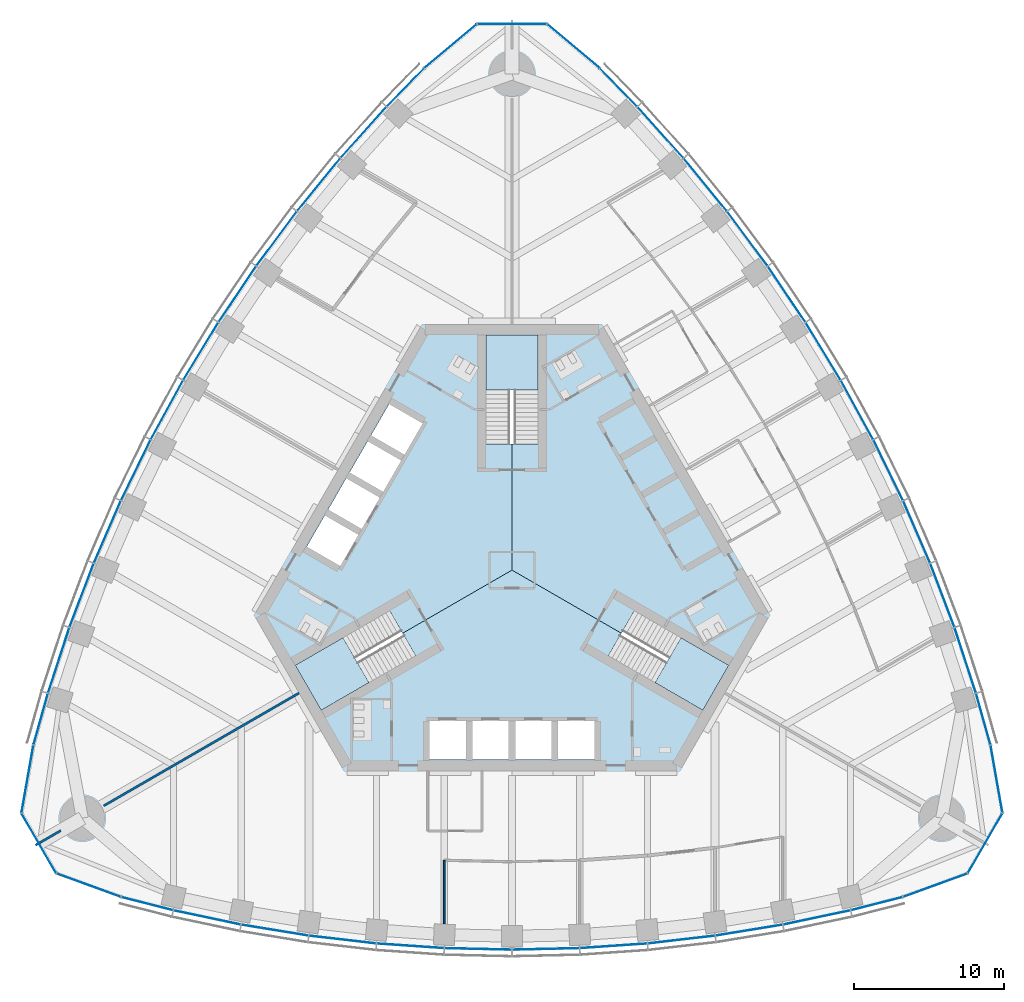
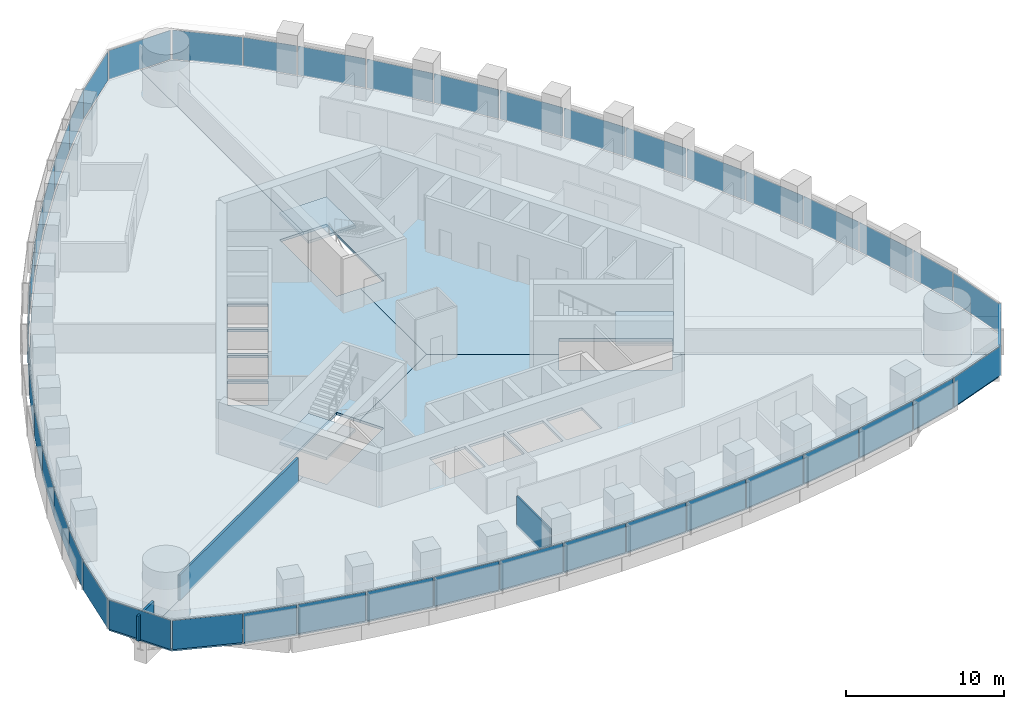
# One storey, part 10 of 19: 45 plates, 6 slabs, 3 walls, 9 elements without a shape of their own.
"""IFC4 building model written with IfcOpenShell, lengths in metres."""

from ifc_helpers import new_model, si_unit, direction, frame, frame_2d, origin, origin_2d, place, context, subcontext, project, spatial, polyline, rectangle, outline, extrude, material, layer, layer_set, type_object, element, aggregate, save


model = new_model("IFC4")

# Units and contexts
model_context = context("Model", 3, precision=1e-05, world=origin(), true_north=direction((0.0, 1.0)))
body_context = subcontext(model_context, "Body", "Model", "MODEL_VIEW")
ifc_project = project(units=[si_unit("LENGTHUNIT", "METRE"), si_unit("AREAUNIT", "SQUARE_METRE"), si_unit("VOLUMEUNIT", "CUBIC_METRE"), si_unit("PLANEANGLEUNIT", "RADIAN"), si_unit("MASSUNIT", "GRAM", prefix="KILO")], contexts=[model_context])

# Site, building, storey
site_placement = place(None, origin())
site = spatial("IfcSite", under=ifc_project, at=site_placement, CompositionType="ELEMENT")
building_placement = place(site_placement, origin())
building = spatial("IfcBuilding", under=site, at=building_placement, Name="Trefoil Bronze Tower", CompositionType="ELEMENT")
storey_placement = place(building_placement, frame((0.0, 0.0, 261.10009765625)))
storey = spatial("IfcBuildingStorey", under=building, at=storey_placement, Name="L60", CompositionType="ELEMENT", Elevation=261.10009765625)

# Curtain wall, plates
ifc_material_1 = material(Name="Tinted solar-control glass", Category="glass")
curtain_wall_type_1 = type_object("IfcCurtainWallType", Name="Bronze office curtain wall", PredefinedType="USERDEFINED", material=ifc_material_1)
curtain_wall_1_placement = place(storey_placement, origin())
curtain_wall_1 = element("IfcCurtainWall", 1, at=curtain_wall_1_placement, inside=storey, type_object=curtain_wall_type_1, Name="CW-A L60 F1", ObjectType="CURTAIN WALL", PredefinedType="USERDEFINED")
ifc_material_2 = material(Name="Tinted solar-control glass", Category="glass")
ifc_layer_1 = layer(ifc_material_2, 0.030029296875)
ifc_layer_set_1 = layer_set([ifc_layer_1], Name="Bronze office curtain wall glass panel")
plate_type_1 = type_object("IfcPlateType", Name="Bronze office curtain wall glass panel", PredefinedType="CURTAIN_PANEL", material=ifc_layer_set_1)
plate_1_placement = place(storey_placement, frame((-24.251220703125, -22.188232421875, 0.0), z_axis=(0.0, 0.0, 1.0), x_axis=(0.968934035393, -0.247319297786, 0.0)))
plate_1 = element("IfcPlate", 2, at=plate_1_placement, type_object=plate_type_1, Name="CW-A L60 F1 panel 1", PredefinedType="CURTAIN_PANEL", context=body_context, shape_type="SweptSolid", body=[
    extrude(rectangle(XDim=3.483642578125, YDim=0.030029296875, at=origin_2d()), origin(), (0.0, 0.0, 1.0), 2.25),
])
plate_2_placement = place(storey_placement, frame((-20.270751953125, -23.105224609375, 0.0), z_axis=(0.0, 0.0, 1.0), x_axis=(0.978394335897, -0.20674748725, 0.0)))
plate_2 = element("IfcPlate", 3, at=plate_2_placement, type_object=plate_type_1, Name="CW-A L60 F1 panel 2", PredefinedType="CURTAIN_PANEL", context=body_context, shape_type="SweptSolid", body=[
    extrude(rectangle(XDim=4.519287109375, YDim=0.030029296875, at=origin_2d()), origin(), (0.0, 0.0, 1.0), 2.25),
])
plate_3_placement = place(storey_placement, frame((-15.76611328125, -23.9482421875, 0.0), z_axis=(0.0, 0.0, 1.0), x_axis=(0.986986549528, -0.160802832848, 0.0)))
plate_3 = element("IfcPlate", 4, at=plate_3_placement, type_object=plate_type_1, Name="CW-A L60 F1 panel 3", PredefinedType="CURTAIN_PANEL", context=body_context, shape_type="SweptSolid", body=[
    extrude(rectangle(XDim=4.479248046875, YDim=0.030029296875, at=origin_2d()), origin(), (0.0, 0.0, 1.0), 2.25),
])
plate_4_placement = place(storey_placement, frame((-11.261474609375, -24.57568359375, 0.0), z_axis=(0.0, 0.0, 1.0), x_axis=(0.993381831741, -0.114858767043, 0.0)))
plate_4 = element("IfcPlate", 5, at=plate_4_placement, type_object=plate_type_1, Name="CW-A L60 F1 panel 4", PredefinedType="CURTAIN_PANEL", context=body_context, shape_type="SweptSolid", body=[
    extrude(rectangle(XDim=4.449951171875, YDim=0.030029296875, at=origin_2d()), origin(), (0.0, 0.0, 1.0), 2.25),
])
plate_5_placement = place(storey_placement, frame((-6.7568359375, -24.991455078125, 0.0), z_axis=(0.0, 0.0, 1.0), x_axis=(0.99762252804, -0.068915103905, 0.0)))
plate_5 = element("IfcPlate", 6, at=plate_5_placement, type_object=plate_type_1, Name="CW-A L60 F1 panel 5", PredefinedType="CURTAIN_PANEL", context=body_context, shape_type="SweptSolid", body=[
    extrude(rectangle(XDim=4.4306640625, YDim=0.030029296875, at=origin_2d()), origin(), (0.0, 0.0, 1.0), 2.25),
])
plate_6_placement = place(storey_placement, frame((-2.252197265625, -25.198974609375, 0.0), z_axis=(0.0, 0.0, 1.0), x_axis=(0.999736116243, -0.022971675577, 0.0)))
plate_6 = element("IfcPlate", 7, at=plate_6_placement, type_object=plate_type_1, Name="CW-A L60 F1 panel 6", PredefinedType="CURTAIN_PANEL", context=body_context, shape_type="SweptSolid", body=[
    extrude(rectangle(XDim=4.421142578125, YDim=0.030029296875, at=origin_2d()), origin(), (0.0, 0.0, 1.0), 2.25),
])
plate_7_placement = place(storey_placement, frame((2.252197265625, -25.198974609375, 0.0), z_axis=(0.0, 0.0, 1.0), x_axis=(0.999736116243, 0.022971675577, 0.0)))
plate_7 = element("IfcPlate", 8, at=plate_7_placement, type_object=plate_type_1, Name="CW-A L60 F1 panel 7", PredefinedType="CURTAIN_PANEL", context=body_context, shape_type="SweptSolid", body=[
    extrude(rectangle(XDim=4.421142578125, YDim=0.030029296875, at=origin_2d()), origin(), (0.0, 0.0, 1.0), 2.25),
])
plate_8_placement = place(storey_placement, frame((6.7568359375, -24.991455078125, 0.0), z_axis=(0.0, 0.0, 1.0), x_axis=(0.99762252804, 0.068915103905, 0.0)))
plate_8 = element("IfcPlate", 9, at=plate_8_placement, type_object=plate_type_1, Name="CW-A L60 F1 panel 8", PredefinedType="CURTAIN_PANEL", context=body_context, shape_type="SweptSolid", body=[
    extrude(rectangle(XDim=4.4306640625, YDim=0.030029296875, at=origin_2d()), origin(), (0.0, 0.0, 1.0), 2.25),
])
plate_9_placement = place(storey_placement, frame((11.261474609375, -24.57568359375, 0.0), z_axis=(0.0, 0.0, 1.0), x_axis=(0.993381831741, 0.114858767043, 0.0)))
plate_9 = element("IfcPlate", 10, at=plate_9_placement, type_object=plate_type_1, Name="CW-A L60 F1 panel 9", PredefinedType="CURTAIN_PANEL", context=body_context, shape_type="SweptSolid", body=[
    extrude(rectangle(XDim=4.449951171875, YDim=0.030029296875, at=origin_2d()), origin(), (0.0, 0.0, 1.0), 2.25),
])
plate_10_placement = place(storey_placement, frame((15.76611328125, -23.9482421875, 0.0), z_axis=(0.0, 0.0, 1.0), x_axis=(0.986986549528, 0.160802832848, 0.0)))
plate_10 = element("IfcPlate", 11, at=plate_10_placement, type_object=plate_type_1, Name="CW-A L60 F1 panel 10", PredefinedType="CURTAIN_PANEL", context=body_context, shape_type="SweptSolid", body=[
    extrude(rectangle(XDim=4.479248046875, YDim=0.030029296875, at=origin_2d()), origin(), (0.0, 0.0, 1.0), 2.25),
])
plate_11_placement = place(storey_placement, frame((20.270751953125, -23.105224609375, 0.0), z_axis=(0.0, 0.0, 1.0), x_axis=(0.978394335897, 0.20674748725, 0.0)))
plate_11 = element("IfcPlate", 12, at=plate_11_placement, type_object=plate_type_1, Name="CW-A L60 F1 panel 11", PredefinedType="CURTAIN_PANEL", context=body_context, shape_type="SweptSolid", body=[
    extrude(rectangle(XDim=4.519287109375, YDim=0.030029296875, at=origin_2d()), origin(), (0.0, 0.0, 1.0), 2.25),
])
plate_12_placement = place(storey_placement, frame((24.251220703125, -22.188232421875, 0.0), z_axis=(0.0, 0.0, 1.0), x_axis=(0.968934035393, 0.247319297786, 0.0)))
plate_12 = element("IfcPlate", 13, at=plate_12_placement, type_object=plate_type_1, Name="CW-A L60 F1 panel 12", PredefinedType="CURTAIN_PANEL", context=body_context, shape_type="SweptSolid", body=[
    extrude(rectangle(XDim=3.483642578125, YDim=0.030029296875, at=origin_2d()), origin(), (0.0, 0.0, 1.0), 2.25),
])
aggregate(curtain_wall_1, [plate_1, plate_2, plate_3, plate_4, plate_5, plate_6, plate_7, plate_8, plate_9, plate_10, plate_11, plate_12])

curtain_wall_2_placement = place(storey_placement, origin())
curtain_wall_2 = element("IfcCurtainWall", 14, at=curtain_wall_2_placement, inside=storey, type_object=curtain_wall_type_1, Name="CW-A L60 F2", ObjectType="CURTAIN WALL", PredefinedType="USERDEFINED")
plate_13_placement = place(storey_placement, frame((31.341064453125, -9.907958984375, 0.0), z_axis=(0.0, 0.0, 1.0), x_axis=(-0.270282222968, 0.962781138134, 0.0)))
plate_13 = element("IfcPlate", 15, at=plate_13_placement, type_object=plate_type_1, Name="CW-A L60 F2 panel 1", PredefinedType="CURTAIN_PANEL", context=body_context, shape_type="SweptSolid", body=[
    extrude(rectangle(XDim=3.483642578125, YDim=0.030029296875, at=origin_2d()), origin(), (0.0, 0.0, 1.0), 2.25),
])
plate_14_placement = place(storey_placement, frame((30.14501953125, -6.002197265625, 0.0), z_axis=(0.0, 0.0, 1.0), x_axis=(-0.310148591821, 0.950688093431, 0.0)))
plate_14 = element("IfcPlate", 16, at=plate_14_placement, type_object=plate_type_1, Name="CW-A L60 F2 panel 2", PredefinedType="CURTAIN_PANEL", context=body_context, shape_type="SweptSolid", body=[
    extrude(rectangle(XDim=4.519287109375, YDim=0.030029296875, at=origin_2d()), origin(), (0.0, 0.0, 1.0), 2.25),
])
plate_15_placement = place(storey_placement, frame((28.622802734375, -1.6796875, 0.0), z_axis=(0.0, 0.0, 1.0), x_axis=(-0.354233936517, 0.935156841508, 0.0)))
plate_15 = element("IfcPlate", 17, at=plate_15_placement, type_object=plate_type_1, Name="CW-A L60 F2 panel 3", PredefinedType="CURTAIN_PANEL", context=body_context, shape_type="SweptSolid", body=[
    extrude(rectangle(XDim=4.479248046875, YDim=0.030029296875, at=origin_2d()), origin(), (0.0, 0.0, 1.0), 2.25),
])
plate_16_placement = place(storey_placement, frame((26.913818359375, 2.53515625, 0.0), z_axis=(0.0, 0.0, 1.0), x_axis=(-0.397220305764, 0.917723285467, 0.0)))
plate_16 = element("IfcPlate", 18, at=plate_16_placement, type_object=plate_type_1, Name="CW-A L60 F2 panel 4", PredefinedType="CURTAIN_PANEL", context=body_context, shape_type="SweptSolid", body=[
    extrude(rectangle(XDim=4.449951171875, YDim=0.030029296875, at=origin_2d()), origin(), (0.0, 0.0, 1.0), 2.25),
])
plate_17_placement = place(storey_placement, frame((25.021728515625, 6.64404296875, 0.0), z_axis=(0.0, 0.0, 1.0), x_axis=(-0.439129033334, 0.898424004623, 0.0)))
plate_17 = element("IfcPlate", 19, at=plate_17_placement, type_object=plate_type_1, Name="CW-A L60 F2 panel 5", PredefinedType="CURTAIN_PANEL", context=body_context, shape_type="SweptSolid", body=[
    extrude(rectangle(XDim=4.4306640625, YDim=0.030029296875, at=origin_2d()), origin(), (0.0, 0.0, 1.0), 2.25),
])
plate_18_placement = place(storey_placement, frame((22.948974609375, 10.64892578125, 0.0), z_axis=(0.0, 0.0, 1.0), x_axis=(-0.479974003504, 0.877282711536, 0.0)))
plate_18 = element("IfcPlate", 20, at=plate_18_placement, type_object=plate_type_1, Name="CW-A L60 F2 panel 6", PredefinedType="CURTAIN_PANEL", context=body_context, shape_type="SweptSolid", body=[
    extrude(rectangle(XDim=4.421142578125, YDim=0.030029296875, at=origin_2d()), origin(), (0.0, 0.0, 1.0), 2.25),
])
plate_19_placement = place(storey_placement, frame((20.69677734375, 14.550048828125, 0.0), z_axis=(0.0, 0.0, 1.0), x_axis=(-0.519762112739, 0.854311035959, 0.0)))
plate_19 = element("IfcPlate", 21, at=plate_19_placement, type_object=plate_type_1, Name="CW-A L60 F2 panel 7", PredefinedType="CURTAIN_PANEL", context=body_context, shape_type="SweptSolid", body=[
    extrude(rectangle(XDim=4.421142578125, YDim=0.030029296875, at=origin_2d()), origin(), (0.0, 0.0, 1.0), 2.25),
])
plate_20_placement = place(storey_placement, frame((18.264892578125, 18.347412109375, 0.0), z_axis=(0.0, 0.0, 1.0), x_axis=(-0.558493494706, 0.829508900718, 0.0)))
plate_20 = element("IfcPlate", 22, at=plate_20_placement, type_object=plate_type_1, Name="CW-A L60 F2 panel 8", PredefinedType="CURTAIN_PANEL", context=body_context, shape_type="SweptSolid", body=[
    extrude(rectangle(XDim=4.4306640625, YDim=0.030029296875, at=origin_2d()), origin(), (0.0, 0.0, 1.0), 2.25),
])
plate_21_placement = place(storey_placement, frame((15.65234375, 22.04052734375, 0.0), z_axis=(0.0, 0.0, 1.0), x_axis=(-0.596161525977, 0.802864518425, 0.0)))
plate_21 = element("IfcPlate", 23, at=plate_21_placement, type_object=plate_type_1, Name="CW-A L60 F2 panel 9", PredefinedType="CURTAIN_PANEL", context=body_context, shape_type="SweptSolid", body=[
    extrude(rectangle(XDim=4.449951171875, YDim=0.030029296875, at=origin_2d()), origin(), (0.0, 0.0, 1.0), 2.25),
])
plate_22_placement = place(storey_placement, frame((12.856689453125, 25.6279296875, 0.0), z_axis=(0.0, 0.0, 1.0), x_axis=(-0.63275261301, 0.774354008661, 0.0)))
plate_22 = element("IfcPlate", 24, at=plate_22_placement, type_object=plate_type_1, Name="CW-A L60 F2 panel 10", PredefinedType="CURTAIN_PANEL", context=body_context, shape_type="SweptSolid", body=[
    extrude(rectangle(XDim=4.479248046875, YDim=0.030029296875, at=origin_2d()), origin(), (0.0, 0.0, 1.0), 2.25),
])
plate_23_placement = place(storey_placement, frame((9.87451171875, 29.107666015625, 0.0), z_axis=(0.0, 0.0, 1.0), x_axis=(-0.668245744076, 0.743940606181, 0.0)))
plate_23 = element("IfcPlate", 25, at=plate_23_placement, type_object=plate_type_1, Name="CW-A L60 F2 panel 11", PredefinedType="CURTAIN_PANEL", context=body_context, shape_type="SweptSolid", body=[
    extrude(rectangle(XDim=4.519287109375, YDim=0.030029296875, at=origin_2d()), origin(), (0.0, 0.0, 1.0), 2.25),
])
plate_24_placement = place(storey_placement, frame((7.08984375, 32.09619140625, 0.0), z_axis=(0.0, 0.0, 1.0), x_axis=(-0.698651812425, 0.715461840349, 0.0)))
plate_24 = element("IfcPlate", 26, at=plate_24_placement, type_object=plate_type_1, Name="CW-A L60 F2 panel 12", PredefinedType="CURTAIN_PANEL", context=body_context, shape_type="SweptSolid", body=[
    extrude(rectangle(XDim=3.483642578125, YDim=0.030029296875, at=origin_2d()), origin(), (0.0, 0.0, 1.0), 2.25),
])
aggregate(curtain_wall_2, [plate_13, plate_14, plate_15, plate_16, plate_17, plate_18, plate_19, plate_20, plate_21, plate_22, plate_23, plate_24])

curtain_wall_3_placement = place(storey_placement, origin())
curtain_wall_3 = element("IfcCurtainWall", 27, at=curtain_wall_3_placement, inside=storey, type_object=curtain_wall_type_1, Name="CW-A L60 F3", ObjectType="CURTAIN WALL", PredefinedType="USERDEFINED")
plate_25_placement = place(storey_placement, frame((-7.08984375, 32.09619140625, 0.0), z_axis=(0.0, 0.0, 1.0), x_axis=(-0.698651812425, -0.715461840349, 0.0)))
plate_25 = element("IfcPlate", 28, at=plate_25_placement, type_object=plate_type_1, Name="CW-A L60 F3 panel 1", PredefinedType="CURTAIN_PANEL", context=body_context, shape_type="SweptSolid", body=[
    extrude(rectangle(XDim=3.483642578125, YDim=0.030029296875, at=origin_2d()), origin(), (0.0, 0.0, 1.0), 2.25),
])
plate_26_placement = place(storey_placement, frame((-9.87451171875, 29.107666015625, 0.0), z_axis=(0.0, 0.0, 1.0), x_axis=(-0.668245744076, -0.743940606181, 0.0)))
plate_26 = element("IfcPlate", 29, at=plate_26_placement, type_object=plate_type_1, Name="CW-A L60 F3 panel 2", PredefinedType="CURTAIN_PANEL", context=body_context, shape_type="SweptSolid", body=[
    extrude(rectangle(XDim=4.519287109375, YDim=0.030029296875, at=origin_2d()), origin(), (0.0, 0.0, 1.0), 2.25),
])
plate_27_placement = place(storey_placement, frame((-12.856689453125, 25.6279296875, 0.0), z_axis=(0.0, 0.0, 1.0), x_axis=(-0.63275261301, -0.774354008661, 0.0)))
plate_27 = element("IfcPlate", 30, at=plate_27_placement, type_object=plate_type_1, Name="CW-A L60 F3 panel 3", PredefinedType="CURTAIN_PANEL", context=body_context, shape_type="SweptSolid", body=[
    extrude(rectangle(XDim=4.479248046875, YDim=0.030029296875, at=origin_2d()), origin(), (0.0, 0.0, 1.0), 2.25),
])
plate_28_placement = place(storey_placement, frame((-15.65234375, 22.04052734375, 0.0), z_axis=(0.0, 0.0, 1.0), x_axis=(-0.596161525977, -0.802864518425, 0.0)))
plate_28 = element("IfcPlate", 31, at=plate_28_placement, type_object=plate_type_1, Name="CW-A L60 F3 panel 4", PredefinedType="CURTAIN_PANEL", context=body_context, shape_type="SweptSolid", body=[
    extrude(rectangle(XDim=4.449951171875, YDim=0.030029296875, at=origin_2d()), origin(), (0.0, 0.0, 1.0), 2.25),
])
plate_29_placement = place(storey_placement, frame((-18.264892578125, 18.347412109375, 0.0), z_axis=(0.0, 0.0, 1.0), x_axis=(-0.558493494706, -0.829508900718, 0.0)))
plate_29 = element("IfcPlate", 32, at=plate_29_placement, type_object=plate_type_1, Name="CW-A L60 F3 panel 5", PredefinedType="CURTAIN_PANEL", context=body_context, shape_type="SweptSolid", body=[
    extrude(rectangle(XDim=4.4306640625, YDim=0.030029296875, at=origin_2d()), origin(), (0.0, 0.0, 1.0), 2.25),
])
plate_30_placement = place(storey_placement, frame((-20.69677734375, 14.550048828125, 0.0), z_axis=(0.0, 0.0, 1.0), x_axis=(-0.519762112739, -0.854311035959, 0.0)))
plate_30 = element("IfcPlate", 33, at=plate_30_placement, type_object=plate_type_1, Name="CW-A L60 F3 panel 6", PredefinedType="CURTAIN_PANEL", context=body_context, shape_type="SweptSolid", body=[
    extrude(rectangle(XDim=4.421142578125, YDim=0.030029296875, at=origin_2d()), origin(), (0.0, 0.0, 1.0), 2.25),
])
plate_31_placement = place(storey_placement, frame((-22.948974609375, 10.64892578125, 0.0), z_axis=(0.0, 0.0, 1.0), x_axis=(-0.479974003504, -0.877282711536, 0.0)))
plate_31 = element("IfcPlate", 34, at=plate_31_placement, type_object=plate_type_1, Name="CW-A L60 F3 panel 7", PredefinedType="CURTAIN_PANEL", context=body_context, shape_type="SweptSolid", body=[
    extrude(rectangle(XDim=4.421142578125, YDim=0.030029296875, at=origin_2d()), origin(), (0.0, 0.0, 1.0), 2.25),
])
plate_32_placement = place(storey_placement, frame((-25.021728515625, 6.64404296875, 0.0), z_axis=(0.0, 0.0, 1.0), x_axis=(-0.439129033334, -0.898424004623, 0.0)))
plate_32 = element("IfcPlate", 35, at=plate_32_placement, type_object=plate_type_1, Name="CW-A L60 F3 panel 8", PredefinedType="CURTAIN_PANEL", context=body_context, shape_type="SweptSolid", body=[
    extrude(rectangle(XDim=4.4306640625, YDim=0.030029296875, at=origin_2d()), origin(), (0.0, 0.0, 1.0), 2.25),
])
plate_33_placement = place(storey_placement, frame((-26.913818359375, 2.53515625, 0.0), z_axis=(0.0, 0.0, 1.0), x_axis=(-0.397220305764, -0.917723285467, 0.0)))
plate_33 = element("IfcPlate", 36, at=plate_33_placement, type_object=plate_type_1, Name="CW-A L60 F3 panel 9", PredefinedType="CURTAIN_PANEL", context=body_context, shape_type="SweptSolid", body=[
    extrude(rectangle(XDim=4.449951171875, YDim=0.030029296875, at=origin_2d()), origin(), (0.0, 0.0, 1.0), 2.25),
])
plate_34_placement = place(storey_placement, frame((-28.622802734375, -1.6796875, 0.0), z_axis=(0.0, 0.0, 1.0), x_axis=(-0.354233936517, -0.935156841508, 0.0)))
plate_34 = element("IfcPlate", 37, at=plate_34_placement, type_object=plate_type_1, Name="CW-A L60 F3 panel 10", PredefinedType="CURTAIN_PANEL", context=body_context, shape_type="SweptSolid", body=[
    extrude(rectangle(XDim=4.479248046875, YDim=0.030029296875, at=origin_2d()), origin(), (0.0, 0.0, 1.0), 2.25),
])
plate_35_placement = place(storey_placement, frame((-30.14501953125, -6.002197265625, 0.0), z_axis=(0.0, 0.0, 1.0), x_axis=(-0.310148591821, -0.950688093431, 0.0)))
plate_35 = element("IfcPlate", 38, at=plate_35_placement, type_object=plate_type_1, Name="CW-A L60 F3 panel 11", PredefinedType="CURTAIN_PANEL", context=body_context, shape_type="SweptSolid", body=[
    extrude(rectangle(XDim=4.519287109375, YDim=0.030029296875, at=origin_2d()), origin(), (0.0, 0.0, 1.0), 2.25),
])
plate_36_placement = place(storey_placement, frame((-31.341064453125, -9.907958984375, 0.0), z_axis=(0.0, 0.0, 1.0), x_axis=(-0.270282222968, -0.962781138134, 0.0)))
plate_36 = element("IfcPlate", 39, at=plate_36_placement, type_object=plate_type_1, Name="CW-A L60 F3 panel 12", PredefinedType="CURTAIN_PANEL", context=body_context, shape_type="SweptSolid", body=[
    extrude(rectangle(XDim=3.483642578125, YDim=0.030029296875, at=origin_2d()), origin(), (0.0, 0.0, 1.0), 2.25),
])
aggregate(curtain_wall_3, [plate_25, plate_26, plate_27, plate_28, plate_29, plate_30, plate_31, plate_32, plate_33, plate_34, plate_35, plate_36])

ifc_material_3 = material(Name="Tinted solar-control glass", Category="glass")
curtain_wall_type_2 = type_object("IfcCurtainWallType", Name="Bronze rounded corner curtain wall", PredefinedType="USERDEFINED", material=ifc_material_3)
curtain_wall_4_placement = place(storey_placement, origin())
curtain_wall_4 = element("IfcCurtainWall", 40, at=curtain_wall_4_placement, inside=storey, type_object=curtain_wall_type_2, Name="CW-B L60 K1", ObjectType="CURTAIN WALL", PredefinedType="USERDEFINED")
ifc_material_4 = material(Name="Tinted solar-control glass", Category="glass")
ifc_layer_2 = layer(ifc_material_4, 0.030029296875)
ifc_layer_set_2 = layer_set([ifc_layer_2], Name="Bronze rounded corner curtain wall glass panel")
plate_type_2 = type_object("IfcPlateType", Name="Bronze rounded corner curtain wall glass panel", PredefinedType="CURTAIN_PANEL", material=ifc_layer_set_2)
plate_37_placement = place(storey_placement, frame((28.1298828125, -20.96484375, 0.0), z_axis=(0.0, 0.0, 1.0), x_axis=(0.939692620786, 0.342020143326, 0.0)))
plate_37 = element("IfcPlate", 41, at=plate_37_placement, type_object=plate_type_2, Name="CW-B L60 K1 panel 1", PredefinedType="CURTAIN_PANEL", context=body_context, shape_type="SweptSolid", body=[
    extrude(rectangle(XDim=4.500244140625, YDim=0.030029296875, at=origin_2d()), origin(), (0.0, 0.0, 1.0), 2.25),
])
plate_38_placement = place(storey_placement, frame((31.46484375, -18.166259765625, 0.0), z_axis=(0.0, 0.0, 1.0), x_axis=(0.5, 0.866025403784, 0.0)))
plate_38 = element("IfcPlate", 42, at=plate_38_placement, type_object=plate_type_2, Name="CW-B L60 K1 panel 2", PredefinedType="CURTAIN_PANEL", context=body_context, shape_type="SweptSolid", body=[
    extrude(rectangle(XDim=4.500244140625, YDim=0.030029296875, at=origin_2d()), origin(), (0.0, 0.0, 1.0), 2.25),
])
plate_39_placement = place(storey_placement, frame((32.220947265625, -13.878662109375, 0.0), z_axis=(0.0, 0.0, 1.0), x_axis=(-0.173648177667, 0.984807753012, 0.0)))
plate_39 = element("IfcPlate", 43, at=plate_39_placement, type_object=plate_type_2, Name="CW-B L60 K1 panel 3", PredefinedType="CURTAIN_PANEL", context=body_context, shape_type="SweptSolid", body=[
    extrude(rectangle(XDim=4.500244140625, YDim=0.030029296875, at=origin_2d()), origin(), (0.0, 0.0, 1.0), 2.25),
])
aggregate(curtain_wall_4, [plate_37, plate_38, plate_39])

curtain_wall_5_placement = place(storey_placement, origin())
curtain_wall_5 = element("IfcCurtainWall", 44, at=curtain_wall_5_placement, inside=storey, type_object=curtain_wall_type_2, Name="CW-B L60 K2", ObjectType="CURTAIN WALL", PredefinedType="USERDEFINED")
plate_40_placement = place(storey_placement, frame((4.091064453125, 34.843505859375, 0.0), z_axis=(0.0, 0.0, 1.0), x_axis=(-0.766044443119, 0.642787609687, 0.0)))
plate_40 = element("IfcPlate", 45, at=plate_40_placement, type_object=plate_type_2, Name="CW-B L60 K2 panel 1", PredefinedType="CURTAIN_PANEL", context=body_context, shape_type="SweptSolid", body=[
    extrude(rectangle(XDim=4.500244140625, YDim=0.030029296875, at=origin_2d()), origin(), (0.0, 0.0, 1.0), 2.25),
])
plate_41_placement = place(storey_placement, frame((0.0, 36.33251953125, 0.0), z_axis=(0.0, 0.0, 1.0), x_axis=(-1.0, 0.0, 0.0)))
plate_41 = element("IfcPlate", 46, at=plate_41_placement, type_object=plate_type_2, Name="CW-B L60 K2 panel 2", PredefinedType="CURTAIN_PANEL", context=body_context, shape_type="SweptSolid", body=[
    extrude(rectangle(XDim=4.500244140625, YDim=0.030029296875, at=origin_2d()), origin(), (0.0, 0.0, 1.0), 2.25),
])
plate_42_placement = place(storey_placement, frame((-4.091064453125, 34.843505859375, 0.0), z_axis=(0.0, 0.0, 1.0), x_axis=(-0.766044443119, -0.642787609687, 0.0)))
plate_42 = element("IfcPlate", 47, at=plate_42_placement, type_object=plate_type_2, Name="CW-B L60 K2 panel 3", PredefinedType="CURTAIN_PANEL", context=body_context, shape_type="SweptSolid", body=[
    extrude(rectangle(XDim=4.500244140625, YDim=0.030029296875, at=origin_2d()), origin(), (0.0, 0.0, 1.0), 2.25),
])
aggregate(curtain_wall_5, [plate_40, plate_41, plate_42])

curtain_wall_6_placement = place(storey_placement, origin())
curtain_wall_6 = element("IfcCurtainWall", 48, at=curtain_wall_6_placement, inside=storey, type_object=curtain_wall_type_2, Name="CW-B L60 K3", ObjectType="CURTAIN WALL", PredefinedType="USERDEFINED")
plate_43_placement = place(storey_placement, frame((-32.220947265625, -13.878662109375, 0.0), z_axis=(0.0, 0.0, 1.0), x_axis=(-0.173648177667, -0.984807753012, 0.0)))
plate_43 = element("IfcPlate", 49, at=plate_43_placement, type_object=plate_type_2, Name="CW-B L60 K3 panel 1", PredefinedType="CURTAIN_PANEL", context=body_context, shape_type="SweptSolid", body=[
    extrude(rectangle(XDim=4.500244140625, YDim=0.030029296875, at=origin_2d()), origin(), (0.0, 0.0, 1.0), 2.25),
])
plate_44_placement = place(storey_placement, frame((-31.46484375, -18.166259765625, 0.0), z_axis=(0.0, 0.0, 1.0), x_axis=(0.5, -0.866025403784, 0.0)))
plate_44 = element("IfcPlate", 50, at=plate_44_placement, type_object=plate_type_2, Name="CW-B L60 K3 panel 2", PredefinedType="CURTAIN_PANEL", context=body_context, shape_type="SweptSolid", body=[
    extrude(rectangle(XDim=4.500244140625, YDim=0.030029296875, at=origin_2d()), origin(), (0.0, 0.0, 1.0), 2.25),
])
plate_45_placement = place(storey_placement, frame((-28.1298828125, -20.96484375, 0.0), z_axis=(0.0, 0.0, 1.0), x_axis=(0.939692620786, -0.342020143326, 0.0)))
plate_45 = element("IfcPlate", 51, at=plate_45_placement, type_object=plate_type_2, Name="CW-B L60 K3 panel 3", PredefinedType="CURTAIN_PANEL", context=body_context, shape_type="SweptSolid", body=[
    extrude(rectangle(XDim=4.500244140625, YDim=0.030029296875, at=origin_2d()), origin(), (0.0, 0.0, 1.0), 2.25),
])
aggregate(curtain_wall_6, [plate_43, plate_44, plate_45])

# Slabs
ifc_material_5 = material(Name="Concrete B30", Category="concrete")
ifc_layer_3 = layer(ifc_material_5, 0.199951171875)
ifc_layer_set_3 = layer_set([ifc_layer_3], Name="Floor slab 200")
slab_type_1 = type_object("IfcSlabType", Name="Floor slab 200", PredefinedType="FLOOR", material=ifc_layer_set_3)
slab_1_placement = place(storey_placement, frame((0.0, 0.0, -0.2001953125)))
element("IfcSlab", 52, at=slab_1_placement, inside=storey, type_object=slab_type_1, Name="Floor slab L60 face 1", PredefinedType="FLOOR", context=body_context, shape_type="SweptSolid", body=[
    extrude(outline(polyline([(18.0, -23.48291015625), (13.5, -24.216064453125), (9.0, -24.736328125), (4.5, -25.047119140625), (0.0, -25.150634765625), (-4.5, -25.047119140625), (-9.0, -24.736328125), (-13.5, -24.216064453125), (-18.0, -23.48291015625), (-22.5, -22.531982421875), (-25.952880859375, -21.650634765625), (-30.23828125, -20.0908203125), (-31.37841796875, -18.1162109375), (-13.510009765625, -7.800048828125), (-12.6474609375, -9.2939453125), (-6.412109375, -5.69384765625), (-7.274658203125, -4.199951171875), (0.0, 0.0), (7.274658203125, -4.199951171875), (6.412109375, -5.69384765625), (12.6474609375, -9.2939453125), (13.510009765625, -7.800048828125), (31.37841796875, -18.1162109375), (30.23828125, -20.0908203125), (25.952880859375, -21.650634765625), (22.5, -22.531982421875), (18.0, -23.48291015625)]), holes=[polyline([(-5.574951171875, -10.02490234375), (-2.97509765625, -10.02490234375), (-2.97509765625, -12.60009765625), (-5.574951171875, -12.60009765625), (-5.574951171875, -10.02490234375)]), polyline([(-2.72509765625, -10.02490234375), (-0.125, -10.02490234375), (-0.125, -12.60009765625), (-2.72509765625, -12.60009765625), (-2.72509765625, -10.02490234375)]), polyline([(0.125, -10.02490234375), (2.72509765625, -10.02490234375), (2.72509765625, -12.60009765625), (0.125, -12.60009765625), (0.125, -10.02490234375)]), polyline([(2.97509765625, -10.02490234375), (5.574951171875, -10.02490234375), (5.574951171875, -12.60009765625), (2.97509765625, -12.60009765625), (2.97509765625, -10.02490234375)])]), origin(), (0.0, 0.0, 1.0), 0.2001953125),
])
slab_2_placement = place(storey_placement, frame((0.0, 0.0, -0.2001953125)))
element("IfcSlab", 53, at=slab_2_placement, inside=storey, type_object=slab_type_1, Name="Floor slab L60 face 2", PredefinedType="FLOOR", context=body_context, shape_type="SweptSolid", body=[
    extrude(outline(polyline([(11.3369140625, 27.329833984375), (14.2216796875, 23.79931640625), (16.92236328125, 20.162353515625), (19.441650390625, 16.420654296875), (21.781005859375, 12.575439453125), (23.941650390625, 8.62646484375), (25.92236328125, 4.573974609375), (27.7216796875, 0.416748046875), (29.3369140625, -3.846923828125), (30.76318359375, -8.219482421875), (31.7265625, -11.650634765625), (32.518310546875, -16.1416015625), (31.37841796875, -18.1162109375), (13.510009765625, -7.800048828125), (14.37255859375, -6.30615234375), (8.13720703125, -2.7060546875), (7.274658203125, -4.199951171875), (0.0, 0.0), (0.0, 8.39990234375), (1.72509765625, 8.39990234375), (1.72509765625, 15.60009765625), (0.0, 15.60009765625), (0.0, 36.232666015625), (2.280029296875, 36.232666015625), (5.7734375, 33.30126953125), (8.26318359375, 30.75146484375), (11.3369140625, 27.329833984375)])), origin(), (0.0, 0.0, 1.0), 0.2001953125),
])
slab_3_placement = place(storey_placement, frame((0.0, 0.0, -0.2001953125)))
element("IfcSlab", 54, at=slab_3_placement, inside=storey, type_object=slab_type_1, Name="Floor slab L60 face 3", PredefinedType="FLOOR", context=body_context, shape_type="SweptSolid", body=[
    extrude(outline(polyline([(-29.3369140625, -3.846923828125), (-27.7216796875, 0.416748046875), (-25.92236328125, 4.573974609375), (-23.941650390625, 8.62646484375), (-21.781005859375, 12.575439453125), (-19.441650390625, 16.420654296875), (-16.92236328125, 20.162353515625), (-14.2216796875, 23.79931640625), (-11.3369140625, 27.329833984375), (-8.26318359375, 30.75146484375), (-5.7734375, 33.30126953125), (-2.280029296875, 36.232666015625), (0.0, 36.232666015625), (0.0, 15.60009765625), (-1.72509765625, 15.60009765625), (-1.72509765625, 8.39990234375), (0.0, 8.39990234375), (0.0, 0.0), (-7.274658203125, -4.199951171875), (-8.13720703125, -2.7060546875), (-14.37255859375, -6.30615234375), (-13.510009765625, -7.800048828125), (-31.37841796875, -18.1162109375), (-32.518310546875, -16.1416015625), (-31.7265625, -11.650634765625), (-30.76318359375, -8.219482421875), (-29.3369140625, -3.846923828125)]), holes=[polyline([(-5.894287109375, 9.840576171875), (-7.1943359375, 7.5888671875), (-9.42431640625, 8.87646484375), (-8.12451171875, 11.128173828125), (-5.894287109375, 9.840576171875)]), polyline([(-7.3193359375, 7.372314453125), (-8.619384765625, 5.120849609375), (-10.849365234375, 6.408203125), (-9.54931640625, 8.659912109375), (-7.3193359375, 7.372314453125)]), polyline([(-8.744384765625, 4.904296875), (-10.04443359375, 2.652587890625), (-12.2744140625, 3.940185546875), (-10.974365234375, 6.191650390625), (-8.744384765625, 4.904296875)]), polyline([(-10.16943359375, 2.43603515625), (-11.469482421875, 0.184326171875), (-13.699462890625, 1.471923828125), (-12.3994140625, 3.7236328125), (-10.16943359375, 2.43603515625)])]), origin(), (0.0, 0.0, 1.0), 0.2001953125),
])

# Stair, slab
ifc_material_6 = material(Name="Precast concrete B80", Category="concrete")
stair_type = type_object("IfcStairType", Name="Exit stair 26 risers", PredefinedType="HALF_TURN_STAIR", material=ifc_material_6)
stair_1_placement = place(storey_placement, origin())
stair_1 = element("IfcStair", 55, at=stair_1_placement, inside=storey, type_object=stair_type, Name="Stair ST1 L60", PredefinedType="HALF_TURN_STAIR")
ifc_material_7 = material(Name="Concrete B30", Category="concrete")
ifc_layer_4 = layer(ifc_material_7, 0.199951171875)
ifc_layer_set_4 = layer_set([ifc_layer_4], Name="Stair landing 200")
slab_type_2 = type_object("IfcSlabType", Name="Stair landing 200", PredefinedType="LANDING", material=ifc_layer_set_4)
slab_4_placement = place(storey_placement, frame((0.0, 0.0, 1.89990234375)))
slab_4 = element("IfcSlab", 56, at=slab_4_placement, type_object=slab_type_2, Name="ST1 landing 1", PredefinedType="LANDING", context=body_context, shape_type="SweptSolid", body=[
    extrude(outline(polyline([(9.512451171875, -7.48388671875), (12.69091796875, -9.31884765625), (14.415771484375, -6.3310546875), (11.237548828125, -4.49609375), (9.512451171875, -7.48388671875)])), origin(), (0.0, 0.0, 1.0), 0.199951171875),
])
aggregate(stair_1, [slab_4])

stair_2_placement = place(storey_placement, origin())
stair_2 = element("IfcStair", 57, at=stair_2_placement, inside=storey, type_object=stair_type, Name="Stair ST2 L60", PredefinedType="HALF_TURN_STAIR")
slab_5_placement = place(storey_placement, frame((0.0, 0.0, 1.89990234375)))
slab_5 = element("IfcSlab", 58, at=slab_5_placement, type_object=slab_type_2, Name="ST2 landing 1", PredefinedType="LANDING", context=body_context, shape_type="SweptSolid", body=[
    extrude(outline(polyline([(1.72509765625, 11.97998046875), (1.72509765625, 15.64990234375), (-1.72509765625, 15.64990234375), (-1.72509765625, 11.97998046875), (1.72509765625, 11.97998046875)])), origin(), (0.0, 0.0, 1.0), 0.199951171875),
])
aggregate(stair_2, [slab_5])

stair_3_placement = place(storey_placement, origin())
stair_3 = element("IfcStair", 59, at=stair_3_placement, inside=storey, type_object=stair_type, Name="Stair ST3 L60", PredefinedType="HALF_TURN_STAIR")
slab_6_placement = place(storey_placement, frame((0.0, 0.0, 1.89990234375)))
slab_6 = element("IfcSlab", 60, at=slab_6_placement, type_object=slab_type_2, Name="ST3 landing 1", PredefinedType="LANDING", context=body_context, shape_type="SweptSolid", body=[
    extrude(outline(polyline([(-11.237548828125, -4.49609375), (-14.415771484375, -6.3310546875), (-12.69091796875, -9.31884765625), (-9.512451171875, -7.48388671875), (-11.237548828125, -4.49609375)])), origin(), (0.0, 0.0, 1.0), 0.199951171875),
])
aggregate(stair_3, [slab_6])

# Walls
ifc_material_8 = material(Name="Glazed partition", Category="glass")
ifc_layer_5 = layer(ifc_material_8, 0.1201171875)
ifc_layer_set_5 = layer_set([ifc_layer_5], Name="Glazed partition 120")
wall_type_1 = type_object("IfcWallType", Name="Glazed partition 120", PredefinedType="PARTITIONING", material=ifc_layer_set_5)
wall_1_placement = place(storey_placement, frame((-4.5, -19.297119140625, 0.0), z_axis=(0.0, 0.0, 1.0), x_axis=(0.0, -1.0, 0.0)))
element("IfcWall", 61, at=wall_1_placement, inside=storey, type_object=wall_type_1, Name="Partition F1 L60", PredefinedType="PARTITIONING", context=body_context, shape_type="SweptSolid", body=[
    extrude(rectangle(XDim=4.218505859375, YDim=0.1201171875, at=frame_2d((2.109375, 0.0))), origin(), (0.0, 0.0, 1.0), 2.349853515625),
])
ifc_material_9 = material(Name="Gypsum board on steel studs", Category="steel")
ifc_layer_6 = layer(ifc_material_9, 0.14990234375)
ifc_layer_set_6 = layer_set([ifc_layer_6], Name="Party wall 150")
wall_type_2 = type_object("IfcWallType", Name="Party wall 150", PredefinedType="PARTITIONING", material=ifc_layer_set_6)
wall_2_placement = place(storey_placement, frame((-14.159423828125, -8.175048828125, 0.0), z_axis=(0.0, 0.0, 1.0), x_axis=(-0.866027028085, -0.499997186618, 0.0)))
element("IfcWall", 62, at=wall_2_placement, inside=storey, type_object=wall_type_2, Name="Party wall K3 L60", PredefinedType="PARTITIONING", context=body_context, shape_type="SweptSolid", body=[
    extrude(rectangle(XDim=15.0, YDim=0.14990234375, at=frame_2d((7.5, 0.0))), origin(), (0.0, 0.0, 1.0), 1.949951171875),
])
wall_3_placement = place(storey_placement, frame((-30.0078125, -17.324951171875, 0.0), z_axis=(0.0, 0.0, 1.0), x_axis=(-0.866013246922, -0.500021055713, 0.0)))
element("IfcWall", 63, at=wall_3_placement, inside=storey, type_object=wall_type_2, Name="Party wall K3 L60", PredefinedType="PARTITIONING", context=body_context, shape_type="SweptSolid", body=[
    extrude(rectangle(XDim=1.9345703125, YDim=0.14990234375, at=frame_2d((0.96728515625, 0.0))), origin(), (0.0, 0.0, 1.0), 1.949951171875),
])

save(model, "model.ifc")
